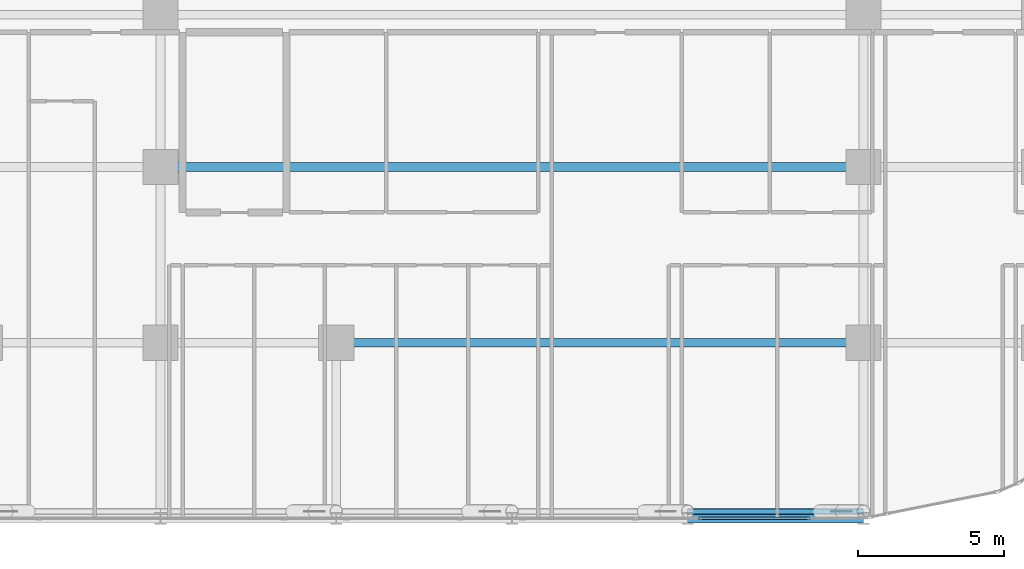
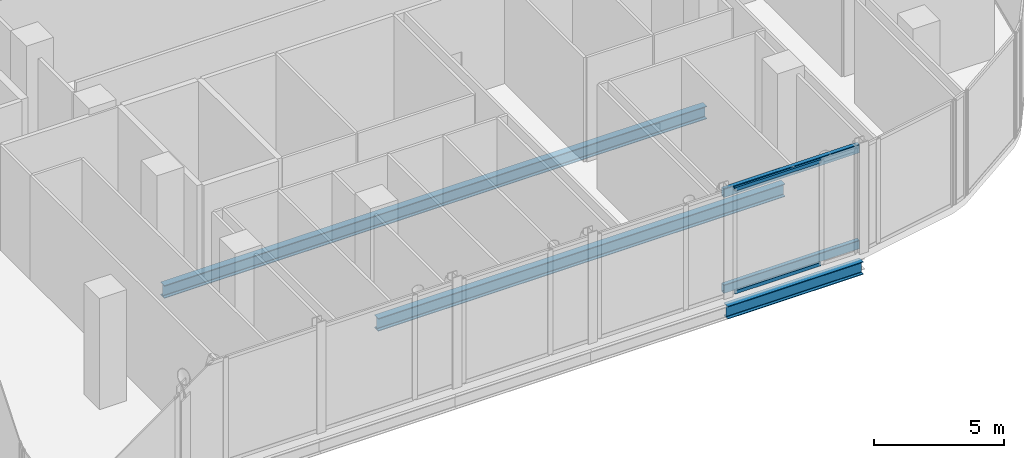
# One storey, part 9 of 36: 4 members, 3 beams, 1 element without a shape of its own.
"""IFC4 building model written with IfcOpenShell, lengths in metres."""

from ifc_helpers import new_model, si_unit, direction, frame, origin, origin_2d, place, context, subcontext, project, spatial, hollow_rectangle, i_section, extrude, material, layer, layer_set, material_profile, profile_set, type_object, element, aggregate, save


model = new_model("IFC4")

# Units and contexts
model_context = context("Model", 3, precision=1e-05, world=origin(), true_north=direction((0.0, 1.0)))
body_context = subcontext(model_context, "Body", "Model", "MODEL_VIEW")
ifc_project = project(units=[si_unit("LENGTHUNIT", "METRE"), si_unit("AREAUNIT", "SQUARE_METRE"), si_unit("VOLUMEUNIT", "CUBIC_METRE"), si_unit("PLANEANGLEUNIT", "RADIAN"), si_unit("MASSUNIT", "GRAM", prefix="KILO")], contexts=[model_context])

# Site, building, storey
site_placement = place(None, origin())
site = spatial("IfcSite", under=ifc_project, at=site_placement, CompositionType="ELEMENT")
building_placement = place(site_placement, origin())
building = spatial("IfcBuilding", under=site, at=building_placement, Name="Keshet Zoharim Tower", CompositionType="ELEMENT")
storey_placement = place(building_placement, frame((0.0, 0.0, 81.199951171875)))
storey = spatial("IfcBuildingStorey", under=building, at=storey_placement, Name="L19", CompositionType="ELEMENT", Elevation=81.199951171875)

# Beams
ifc_material_1 = material(Name="Steel S355", Category="steel")
ifc_material_profile_1 = material_profile(ifc_material_1, i_section(OverallWidth=0.300048828125, OverallDepth=0.60009765625, WebThickness=0.015380859375, FlangeThickness=0.030029296875, FilletRadius=0.027099609375, at=origin_2d()), Name="HEB600")
ifc_profile_set_1 = profile_set([ifc_material_profile_1], Name="Steel S355")
beam_type_1 = type_object("IfcBeamType", Name="BM-LNG-HB600", PredefinedType="BEAM", material=ifc_profile_set_1)
beam_1_placement = place(storey_placement, frame((39.0, 6.699951171875, -0.719970703125), z_axis=(1.0, 0.0, 0.0), x_axis=(0.0, 1.0, 0.0)))
element("IfcBeam", 1, at=beam_1_placement, inside=storey, type_object=beam_type_1, Name="L19 Primary Girder X-009", PredefinedType="BEAM", context=body_context, shape_type="SweptSolid", body=[
    extrude(i_section(OverallWidth=0.300048828125, OverallDepth=0.60009765625, WebThickness=0.015380859375, FlangeThickness=0.030029296875, FilletRadius=0.027099609375, at=origin_2d()), origin(), (0.0, 0.0, 1.0), 18.0),
])
beam_2_placement = place(storey_placement, frame((33.0, 12.699951171875, -0.719970703125), z_axis=(1.0, 0.0, 0.0), x_axis=(0.0, 1.0, 0.0)))
element("IfcBeam", 2, at=beam_2_placement, inside=storey, type_object=beam_type_1, Name="L19 Primary Girder X-012", PredefinedType="BEAM", context=body_context, shape_type="SweptSolid", body=[
    extrude(i_section(OverallWidth=0.300048828125, OverallDepth=0.60009765625, WebThickness=0.015380859375, FlangeThickness=0.030029296875, FilletRadius=0.027099609375, at=origin_2d()), origin(), (0.0, 0.0, 1.0), 24.0),
])
ifc_material_profile_2 = material_profile(ifc_material_1, i_section(OverallWidth=0.300048828125, OverallDepth=0.60009765625, WebThickness=0.015380859375, FlangeThickness=0.030029296875, FilletRadius=0.027099609375, at=origin_2d()), Name="HEB600")
ifc_profile_set_2 = profile_set([ifc_material_profile_2], Name="Steel S355")
beam_type_2 = type_object("IfcBeamType", Name="BM-WEB-HB600", PredefinedType="BEAM", material=ifc_profile_set_2)
beam_3_placement = place(storey_placement, frame((51.0, 0.699951171875, -0.719970703125), z_axis=(1.0, 0.0, 0.0), x_axis=(0.0, 1.0, 0.0)))
element("IfcBeam", 3, at=beam_3_placement, inside=storey, type_object=beam_type_2, Name="L19 Primary Girder X-005", PredefinedType="BEAM", context=body_context, shape_type="SweptSolid", body=[
    extrude(i_section(OverallWidth=0.300048828125, OverallDepth=0.60009765625, WebThickness=0.015380859375, FlangeThickness=0.030029296875, FilletRadius=0.027099609375, at=origin_2d()), origin(), (0.0, 0.0, 1.0), 6.0),
])

# Curtain wall, members
ifc_material_2 = material(Name="Aluminium 6063-T6", Category="aluminium")
ifc_layer = layer(ifc_material_2, 0.179931640625)
ifc_layer_set = layer_set([ifc_layer], Name="Aluminium 6063-T6")
curtain_wall_type = type_object("IfcCurtainWallType", Name="CW-SYS-01", PredefinedType="NOTDEFINED", material=ifc_layer_set)
curtain_wall_placement = place(storey_placement, origin())
curtain_wall = element("IfcCurtainWall", 4, at=curtain_wall_placement, inside=storey, type_object=curtain_wall_type, Name="L19 Unitised Curtain Wall 26 Part 2", PredefinedType="NOTDEFINED")
ifc_material_profile_3 = material_profile(ifc_material_2, hollow_rectangle(XDim=0.0849609375, YDim=0.159912109375, WallThickness=0.00439453125, at=origin_2d()), Name="TRN-85x160")
ifc_profile_set_3 = profile_set([ifc_material_profile_3], Name="Aluminium 6063-T6")
member_type_1 = type_object("IfcMemberType", Name="CWT-T16", PredefinedType="USERDEFINED", material=ifc_profile_set_3)
member_1_placement = place(storey_placement, frame((55.181640625, 0.699951171875, 0.03515625), z_axis=(-1.0, 0.0, 0.0), x_axis=(0.0, -1.0, 0.0)))
member_1 = element("IfcMember", 5, at=member_1_placement, type_object=member_type_1, Name="CW-01 transom 1.1", ObjectType="TRANSOM", PredefinedType="USERDEFINED", context=body_context, shape_type="SweptSolid", body=[
    extrude(hollow_rectangle(XDim=0.0849609375, YDim=0.159912109375, WallThickness=0.00439453125, at=origin_2d()), origin(), (0.0, 0.0, 1.0), 3.793212890625),
])
member_2_placement = place(storey_placement, frame((55.181640625, 0.699951171875, 4.85009765625), z_axis=(-1.0, 0.0, 0.0), x_axis=(0.0, -1.0, 0.0)))
member_2 = element("IfcMember", 6, at=member_2_placement, type_object=member_type_1, Name="CW-01 transom 1.2", ObjectType="TRANSOM", PredefinedType="USERDEFINED", context=body_context, shape_type="SweptSolid", body=[
    extrude(hollow_rectangle(XDim=0.0849609375, YDim=0.159912109375, WallThickness=0.00439453125, at=origin_2d()), origin(), (0.0, 0.0, 1.0), 3.793212890625),
])
aggregate(curtain_wall, [member_1, member_2])

# Members
ifc_material_profile_4 = material_profile(ifc_material_1, hollow_rectangle(XDim=0.199951171875, YDim=0.39990234375, WallThickness=0.01611328125, InnerFilletRadius=0.01611328125, OuterFilletRadius=0.02392578125, at=origin_2d()), Name="RHS400x200x16")
ifc_profile_set_4 = profile_set([ifc_material_profile_4], Name="Steel S355")
member_type_2 = type_object("IfcMemberType", Name="MB-CHD-R400", PredefinedType="CHORD", material=ifc_profile_set_4)
for number, where, z_axis, x_axis, name in (
    (7, (57.0, 0.93994140625, 0.199951171875), (-1.0, 0.0, 0.0), (0.0, -1.0, 0.0), "L19 Perimeter Belt Truss Chord B09"),
    (8, (57.0, 0.93994140625, 4.68505859375), (-1.0, 0.0, 0.0), (0.0, -1.0, 0.0), "L19 Perimeter Belt Truss Top Chord T09"),
):
    element("IfcMember", number, at=place(storey_placement, frame(where, z_axis=z_axis, x_axis=x_axis)), inside=storey, type_object=member_type_2, Name=name, PredefinedType="CHORD", context=body_context, shape_type="SweptSolid", body=[
        extrude(hollow_rectangle(XDim=0.199951171875, YDim=0.39990234375, WallThickness=0.01611328125, InnerFilletRadius=0.01611328125, OuterFilletRadius=0.02392578125, at=origin_2d()), origin(), (0.0, 0.0, 1.0), 6.0),
    ])

save(model, "model.ifc")
